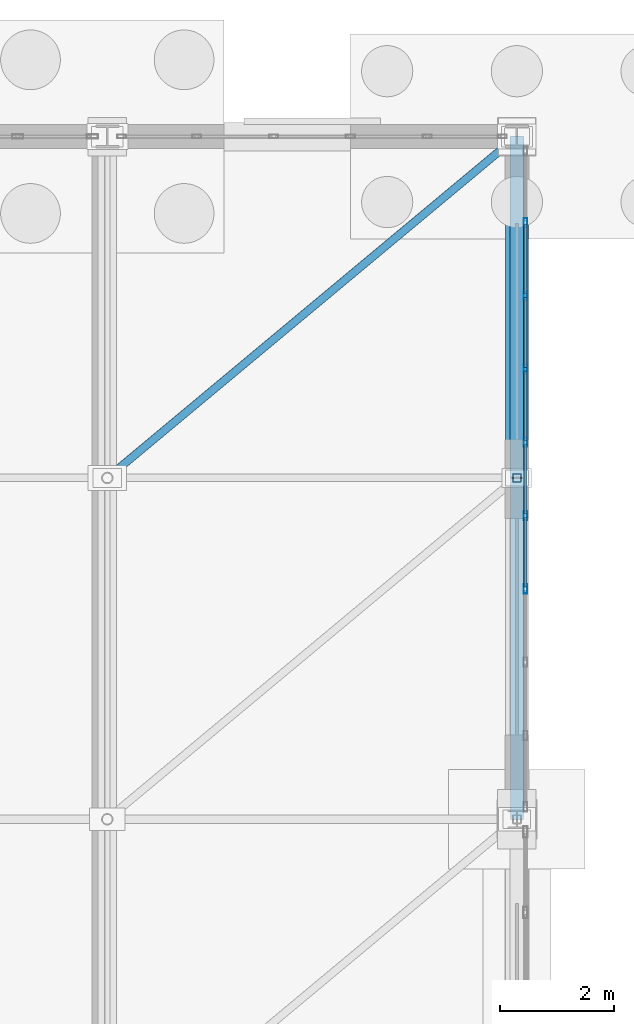
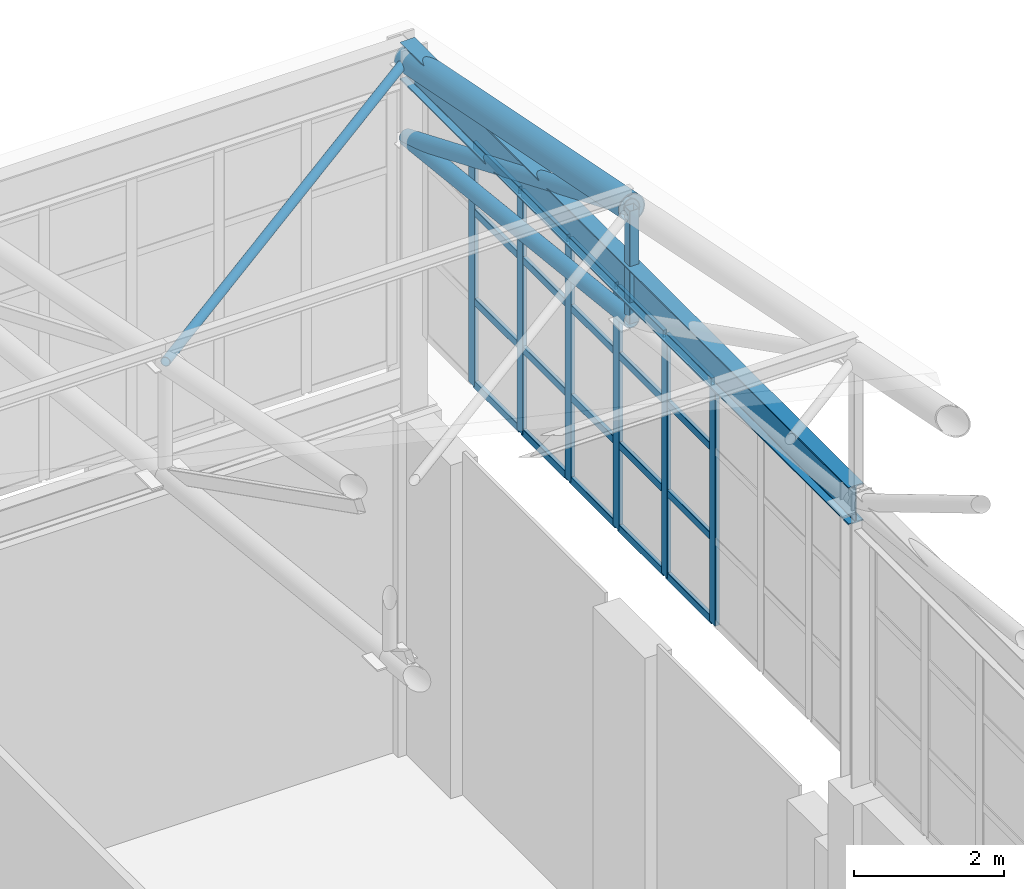
# One storey, part 228 of 293: 31 members, 1 beam, 1 element without a shape of its own.
"""IFC4 building model written with IfcOpenShell, lengths in metres."""

from ifc_helpers import new_model, si_unit, direction, frame, origin, origin_2d, place, context, subcontext, project, spatial, hollow_rectangle, hollow_circle, i_section, extrude, material, layer, layer_set, material_profile, profile_set, type_object, element, aggregate, save


model = new_model("IFC4")

# Units and contexts
model_context = context("Model", 3, precision=1e-05, world=origin(), true_north=direction((0.0, 1.0)))
body_context = subcontext(model_context, "Body", "Model", "MODEL_VIEW")
ifc_project = project(units=[si_unit("LENGTHUNIT", "METRE"), si_unit("AREAUNIT", "SQUARE_METRE"), si_unit("VOLUMEUNIT", "CUBIC_METRE"), si_unit("PLANEANGLEUNIT", "RADIAN"), si_unit("MASSUNIT", "GRAM", prefix="KILO")], contexts=[model_context])

# Site, building, storey
site_placement = place(None, origin())
site = spatial("IfcSite", under=ifc_project, at=site_placement, CompositionType="ELEMENT")
building_placement = place(site_placement, origin())
building = spatial("IfcBuilding", under=site, at=building_placement, Name="Kemerveld Promenade Tramway Depot", CompositionType="ELEMENT")
storey_placement = place(building_placement, origin())
storey = spatial("IfcBuildingStorey", under=building, at=storey_placement, Name="L00", CompositionType="ELEMENT", Elevation=0.0)

# Beam
ifc_material_1 = material(Name="Steel S355", Category="steel")
ifc_material_profile_1 = material_profile(ifc_material_1, i_section(OverallWidth=0.22900390625, OverallDepth=0.6123046875, WebThickness=0.011962890625, FlangeThickness=0.01953125, FilletRadius=0.0126953125, at=origin_2d()), Name="610x229x125 UB")
ifc_profile_set_1 = profile_set([ifc_material_profile_1], Name="Steel S355")
beam_type = type_object("IfcBeamType", Name="BM-G04", PredefinedType="BEAM", material=ifc_profile_set_1)
beam_placement = place(storey_placement, frame((187.199951171875, 132.0, 11.093994140625), z_axis=(0.0, 1.0, 0.0), x_axis=(-1.0, 0.0, 0.0)))
element("IfcBeam", 1, at=beam_placement, inside=storey, type_object=beam_type, Name="BM-GABLE-27-S", PredefinedType="BEAM", context=body_context, shape_type="SweptSolid", body=[
    extrude(i_section(OverallWidth=0.22900390625, OverallDepth=0.6123046875, WebThickness=0.011962890625, FlangeThickness=0.01953125, FilletRadius=0.0126953125, at=origin_2d()), origin(), (0.0, 0.0, 1.0), 12.0),
])

# Curtain wall, members
ifc_material_2 = material(Name="Bronze anodised aluminium and solar glass", Category="aluminium")
ifc_layer = layer(ifc_material_2, 0.159912109375)
ifc_layer_set = layer_set([ifc_layer], Name="CW-SYS-01")
curtain_wall_type = type_object("IfcCurtainWallType", Name="CW-SYS-01", PredefinedType="USERDEFINED", material=ifc_layer_set)
curtain_wall_placement = place(storey_placement, origin())
curtain_wall = element("IfcCurtainWall", 2, at=curtain_wall_placement, inside=storey, type_object=curtain_wall_type, Name="CW-V1-E-05", ObjectType="GLAZED_CURTAIN_WALL", PredefinedType="USERDEFINED")
ifc_material_3 = material(Name="Bronze anodised aluminium", Category="aluminium")
ifc_material_profile_2 = material_profile(ifc_material_3, hollow_rectangle(XDim=0.06494140625, YDim=0.159912109375, WallThickness=0.00390625, InnerFilletRadius=0.001953125, OuterFilletRadius=0.00390625, at=origin_2d()), Name="CW-MUL-160x65")
ifc_profile_set_2 = profile_set([ifc_material_profile_2], Name="Bronze anodised aluminium")
member_type_1 = type_object("IfcMemberType", Name="CW-MUL-A", PredefinedType="MULLION", material=ifc_profile_set_2)
member_1_placement = place(storey_placement, frame((187.35009765625, 142.48876953125, 6.64990234375), z_axis=(0.0, 0.0, 1.0), x_axis=(1.0, 0.0, 0.0)))
member_1 = element("IfcMember", 3, at=member_1_placement, type_object=member_type_1, Name="CW01 mullion 2", PredefinedType="MULLION", context=body_context, shape_type="SweptSolid", body=[
    extrude(hollow_rectangle(XDim=0.06494140625, YDim=0.159912109375, WallThickness=0.00390625, InnerFilletRadius=0.001953125, OuterFilletRadius=0.00390625, at=origin_2d()), origin(), (0.0, 0.0, 1.0), 3.9501953125),
])
member_2_placement = place(storey_placement, frame((187.35009765625, 141.200439453125, 6.64990234375), z_axis=(0.0, 0.0, 1.0), x_axis=(1.0, 0.0, 0.0)))
member_2 = element("IfcMember", 4, at=member_2_placement, type_object=member_type_1, Name="CW01 mullion 3", PredefinedType="MULLION", context=body_context, shape_type="SweptSolid", body=[
    extrude(hollow_rectangle(XDim=0.06494140625, YDim=0.159912109375, WallThickness=0.00390625, InnerFilletRadius=0.001953125, OuterFilletRadius=0.00390625, at=origin_2d()), origin(), (0.0, 0.0, 1.0), 3.9501953125),
])
member_3_placement = place(storey_placement, frame((187.35009765625, 139.912353515625, 6.64990234375), z_axis=(0.0, 0.0, 1.0), x_axis=(1.0, 0.0, 0.0)))
member_3 = element("IfcMember", 5, at=member_3_placement, type_object=member_type_1, Name="CW01 mullion 4", PredefinedType="MULLION", context=body_context, shape_type="SweptSolid", body=[
    extrude(hollow_rectangle(XDim=0.06494140625, YDim=0.159912109375, WallThickness=0.00390625, InnerFilletRadius=0.001953125, OuterFilletRadius=0.00390625, at=origin_2d()), origin(), (0.0, 0.0, 1.0), 3.9501953125),
])
member_4_placement = place(storey_placement, frame((187.35009765625, 138.624267578125, 6.64990234375), z_axis=(0.0, 0.0, 1.0), x_axis=(1.0, 0.0, 0.0)))
member_4 = element("IfcMember", 6, at=member_4_placement, type_object=member_type_1, Name="CW01 mullion 5", PredefinedType="MULLION", context=body_context, shape_type="SweptSolid", body=[
    extrude(hollow_rectangle(XDim=0.06494140625, YDim=0.159912109375, WallThickness=0.00390625, InnerFilletRadius=0.001953125, OuterFilletRadius=0.00390625, at=origin_2d()), origin(), (0.0, 0.0, 1.0), 3.9501953125),
])
member_5_placement = place(storey_placement, frame((187.35009765625, 137.336181640625, 6.64990234375), z_axis=(0.0, 0.0, 1.0), x_axis=(1.0, 0.0, 0.0)))
member_5 = element("IfcMember", 7, at=member_5_placement, type_object=member_type_1, Name="CW01 mullion 6", PredefinedType="MULLION", context=body_context, shape_type="SweptSolid", body=[
    extrude(hollow_rectangle(XDim=0.06494140625, YDim=0.159912109375, WallThickness=0.00390625, InnerFilletRadius=0.001953125, OuterFilletRadius=0.00390625, at=origin_2d()), origin(), (0.0, 0.0, 1.0), 3.9501953125),
])
member_6_placement = place(storey_placement, frame((187.35009765625, 136.0478515625, 6.64990234375), z_axis=(0.0, 0.0, 1.0), x_axis=(1.0, 0.0, 0.0)))
member_6 = element("IfcMember", 8, at=member_6_placement, type_object=member_type_1, Name="CW01 mullion 7", PredefinedType="MULLION", context=body_context, shape_type="SweptSolid", body=[
    extrude(hollow_rectangle(XDim=0.06494140625, YDim=0.159912109375, WallThickness=0.00390625, InnerFilletRadius=0.001953125, OuterFilletRadius=0.00390625, at=origin_2d()), origin(), (0.0, 0.0, 1.0), 3.9501953125),
])
ifc_material_profile_3 = material_profile(ifc_material_3, hollow_rectangle(XDim=0.06005859375, YDim=0.1201171875, WallThickness=0.00390625, InnerFilletRadius=0.001953125, OuterFilletRadius=0.00390625, at=origin_2d()), Name="CW-TRN-120x60")
ifc_profile_set_3 = profile_set([ifc_material_profile_3], Name="Bronze anodised aluminium")
member_type_2 = type_object("IfcMemberType", Name="CW-TRN-A", PredefinedType="USERDEFINED", material=ifc_profile_set_3)
member_7_placement = place(storey_placement, frame((187.35009765625, 142.4560546875, 6.679931640625), z_axis=(0.0, -1.0, 0.0), x_axis=(1.0, 0.0, 0.0)))
member_7 = element("IfcMember", 9, at=member_7_placement, type_object=member_type_2, Name="CW01 transom 2.1", ObjectType="TRANSOM", PredefinedType="USERDEFINED", context=body_context, shape_type="SweptSolid", body=[
    extrude(hollow_rectangle(XDim=0.06005859375, YDim=0.1201171875, WallThickness=0.00390625, InnerFilletRadius=0.001953125, OuterFilletRadius=0.00390625, at=origin_2d()), origin(), (0.0, 0.0, 1.0), 1.22314453125),
])
member_8_placement = place(storey_placement, frame((187.35009765625, 142.4560546875, 8.032958984375), z_axis=(0.0, -1.0, 0.0), x_axis=(1.0, 0.0, 0.0)))
member_8 = element("IfcMember", 10, at=member_8_placement, type_object=member_type_2, Name="CW01 transom 2.2", ObjectType="TRANSOM", PredefinedType="USERDEFINED", context=body_context, shape_type="SweptSolid", body=[
    extrude(hollow_rectangle(XDim=0.06005859375, YDim=0.1201171875, WallThickness=0.00390625, InnerFilletRadius=0.001953125, OuterFilletRadius=0.00390625, at=origin_2d()), origin(), (0.0, 0.0, 1.0), 1.22314453125),
])
member_9_placement = place(storey_placement, frame((187.35009765625, 142.4560546875, 9.493896484375), z_axis=(0.0, -1.0, 0.0), x_axis=(1.0, 0.0, 0.0)))
member_9 = element("IfcMember", 11, at=member_9_placement, type_object=member_type_2, Name="CW01 transom 2.3", ObjectType="TRANSOM", PredefinedType="USERDEFINED", context=body_context, shape_type="SweptSolid", body=[
    extrude(hollow_rectangle(XDim=0.06005859375, YDim=0.1201171875, WallThickness=0.00390625, InnerFilletRadius=0.001953125, OuterFilletRadius=0.00390625, at=origin_2d()), origin(), (0.0, 0.0, 1.0), 1.22314453125),
])
member_10_placement = place(storey_placement, frame((187.35009765625, 142.4560546875, 10.570068359375), z_axis=(0.0, -1.0, 0.0), x_axis=(1.0, 0.0, 0.0)))
member_10 = element("IfcMember", 12, at=member_10_placement, type_object=member_type_2, Name="CW01 transom 2.4", ObjectType="TRANSOM", PredefinedType="USERDEFINED", context=body_context, shape_type="SweptSolid", body=[
    extrude(hollow_rectangle(XDim=0.06005859375, YDim=0.1201171875, WallThickness=0.00390625, InnerFilletRadius=0.001953125, OuterFilletRadius=0.00390625, at=origin_2d()), origin(), (0.0, 0.0, 1.0), 1.22314453125),
])
member_11_placement = place(storey_placement, frame((187.35009765625, 141.16796875, 6.679931640625), z_axis=(0.0, -1.0, 0.0), x_axis=(1.0, 0.0, 0.0)))
member_11 = element("IfcMember", 13, at=member_11_placement, type_object=member_type_2, Name="CW01 transom 3.1", ObjectType="TRANSOM", PredefinedType="USERDEFINED", context=body_context, shape_type="SweptSolid", body=[
    extrude(hollow_rectangle(XDim=0.06005859375, YDim=0.1201171875, WallThickness=0.00390625, InnerFilletRadius=0.001953125, OuterFilletRadius=0.00390625, at=origin_2d()), origin(), (0.0, 0.0, 1.0), 1.22314453125),
])
member_12_placement = place(storey_placement, frame((187.35009765625, 141.16796875, 8.032958984375), z_axis=(0.0, -1.0, 0.0), x_axis=(1.0, 0.0, 0.0)))
member_12 = element("IfcMember", 14, at=member_12_placement, type_object=member_type_2, Name="CW01 transom 3.2", ObjectType="TRANSOM", PredefinedType="USERDEFINED", context=body_context, shape_type="SweptSolid", body=[
    extrude(hollow_rectangle(XDim=0.06005859375, YDim=0.1201171875, WallThickness=0.00390625, InnerFilletRadius=0.001953125, OuterFilletRadius=0.00390625, at=origin_2d()), origin(), (0.0, 0.0, 1.0), 1.22314453125),
])
member_13_placement = place(storey_placement, frame((187.35009765625, 141.16796875, 9.493896484375), z_axis=(0.0, -1.0, 0.0), x_axis=(1.0, 0.0, 0.0)))
member_13 = element("IfcMember", 15, at=member_13_placement, type_object=member_type_2, Name="CW01 transom 3.3", ObjectType="TRANSOM", PredefinedType="USERDEFINED", context=body_context, shape_type="SweptSolid", body=[
    extrude(hollow_rectangle(XDim=0.06005859375, YDim=0.1201171875, WallThickness=0.00390625, InnerFilletRadius=0.001953125, OuterFilletRadius=0.00390625, at=origin_2d()), origin(), (0.0, 0.0, 1.0), 1.22314453125),
])
member_14_placement = place(storey_placement, frame((187.35009765625, 141.16796875, 10.570068359375), z_axis=(0.0, -1.0, 0.0), x_axis=(1.0, 0.0, 0.0)))
member_14 = element("IfcMember", 16, at=member_14_placement, type_object=member_type_2, Name="CW01 transom 3.4", ObjectType="TRANSOM", PredefinedType="USERDEFINED", context=body_context, shape_type="SweptSolid", body=[
    extrude(hollow_rectangle(XDim=0.06005859375, YDim=0.1201171875, WallThickness=0.00390625, InnerFilletRadius=0.001953125, OuterFilletRadius=0.00390625, at=origin_2d()), origin(), (0.0, 0.0, 1.0), 1.22314453125),
])
member_15_placement = place(storey_placement, frame((187.35009765625, 139.8798828125, 6.679931640625), z_axis=(0.0, -1.0, 0.0), x_axis=(1.0, 0.0, 0.0)))
member_15 = element("IfcMember", 17, at=member_15_placement, type_object=member_type_2, Name="CW01 transom 4.1", ObjectType="TRANSOM", PredefinedType="USERDEFINED", context=body_context, shape_type="SweptSolid", body=[
    extrude(hollow_rectangle(XDim=0.06005859375, YDim=0.1201171875, WallThickness=0.00390625, InnerFilletRadius=0.001953125, OuterFilletRadius=0.00390625, at=origin_2d()), origin(), (0.0, 0.0, 1.0), 1.22314453125),
])
member_16_placement = place(storey_placement, frame((187.35009765625, 139.8798828125, 8.032958984375), z_axis=(0.0, -1.0, 0.0), x_axis=(1.0, 0.0, 0.0)))
member_16 = element("IfcMember", 18, at=member_16_placement, type_object=member_type_2, Name="CW01 transom 4.2", ObjectType="TRANSOM", PredefinedType="USERDEFINED", context=body_context, shape_type="SweptSolid", body=[
    extrude(hollow_rectangle(XDim=0.06005859375, YDim=0.1201171875, WallThickness=0.00390625, InnerFilletRadius=0.001953125, OuterFilletRadius=0.00390625, at=origin_2d()), origin(), (0.0, 0.0, 1.0), 1.22314453125),
])
member_17_placement = place(storey_placement, frame((187.35009765625, 139.8798828125, 9.493896484375), z_axis=(0.0, -1.0, 0.0), x_axis=(1.0, 0.0, 0.0)))
member_17 = element("IfcMember", 19, at=member_17_placement, type_object=member_type_2, Name="CW01 transom 4.3", ObjectType="TRANSOM", PredefinedType="USERDEFINED", context=body_context, shape_type="SweptSolid", body=[
    extrude(hollow_rectangle(XDim=0.06005859375, YDim=0.1201171875, WallThickness=0.00390625, InnerFilletRadius=0.001953125, OuterFilletRadius=0.00390625, at=origin_2d()), origin(), (0.0, 0.0, 1.0), 1.22314453125),
])
member_18_placement = place(storey_placement, frame((187.35009765625, 139.8798828125, 10.570068359375), z_axis=(0.0, -1.0, 0.0), x_axis=(1.0, 0.0, 0.0)))
member_18 = element("IfcMember", 20, at=member_18_placement, type_object=member_type_2, Name="CW01 transom 4.4", ObjectType="TRANSOM", PredefinedType="USERDEFINED", context=body_context, shape_type="SweptSolid", body=[
    extrude(hollow_rectangle(XDim=0.06005859375, YDim=0.1201171875, WallThickness=0.00390625, InnerFilletRadius=0.001953125, OuterFilletRadius=0.00390625, at=origin_2d()), origin(), (0.0, 0.0, 1.0), 1.22314453125),
])
member_19_placement = place(storey_placement, frame((187.35009765625, 138.591796875, 6.679931640625), z_axis=(0.0, -1.0, 0.0), x_axis=(1.0, 0.0, 0.0)))
member_19 = element("IfcMember", 21, at=member_19_placement, type_object=member_type_2, Name="CW01 transom 5.1", ObjectType="TRANSOM", PredefinedType="USERDEFINED", context=body_context, shape_type="SweptSolid", body=[
    extrude(hollow_rectangle(XDim=0.06005859375, YDim=0.1201171875, WallThickness=0.00390625, InnerFilletRadius=0.001953125, OuterFilletRadius=0.00390625, at=origin_2d()), origin(), (0.0, 0.0, 1.0), 1.22314453125),
])
member_20_placement = place(storey_placement, frame((187.35009765625, 138.591796875, 8.032958984375), z_axis=(0.0, -1.0, 0.0), x_axis=(1.0, 0.0, 0.0)))
member_20 = element("IfcMember", 22, at=member_20_placement, type_object=member_type_2, Name="CW01 transom 5.2", ObjectType="TRANSOM", PredefinedType="USERDEFINED", context=body_context, shape_type="SweptSolid", body=[
    extrude(hollow_rectangle(XDim=0.06005859375, YDim=0.1201171875, WallThickness=0.00390625, InnerFilletRadius=0.001953125, OuterFilletRadius=0.00390625, at=origin_2d()), origin(), (0.0, 0.0, 1.0), 1.22314453125),
])
member_21_placement = place(storey_placement, frame((187.35009765625, 138.591796875, 9.493896484375), z_axis=(0.0, -1.0, 0.0), x_axis=(1.0, 0.0, 0.0)))
member_21 = element("IfcMember", 23, at=member_21_placement, type_object=member_type_2, Name="CW01 transom 5.3", ObjectType="TRANSOM", PredefinedType="USERDEFINED", context=body_context, shape_type="SweptSolid", body=[
    extrude(hollow_rectangle(XDim=0.06005859375, YDim=0.1201171875, WallThickness=0.00390625, InnerFilletRadius=0.001953125, OuterFilletRadius=0.00390625, at=origin_2d()), origin(), (0.0, 0.0, 1.0), 1.22314453125),
])
member_22_placement = place(storey_placement, frame((187.35009765625, 138.591796875, 10.570068359375), z_axis=(0.0, -1.0, 0.0), x_axis=(1.0, 0.0, 0.0)))
member_22 = element("IfcMember", 24, at=member_22_placement, type_object=member_type_2, Name="CW01 transom 5.4", ObjectType="TRANSOM", PredefinedType="USERDEFINED", context=body_context, shape_type="SweptSolid", body=[
    extrude(hollow_rectangle(XDim=0.06005859375, YDim=0.1201171875, WallThickness=0.00390625, InnerFilletRadius=0.001953125, OuterFilletRadius=0.00390625, at=origin_2d()), origin(), (0.0, 0.0, 1.0), 1.22314453125),
])
member_23_placement = place(storey_placement, frame((187.35009765625, 137.303466796875, 6.679931640625), z_axis=(0.0, -1.0, 0.0), x_axis=(1.0, 0.0, 0.0)))
member_23 = element("IfcMember", 25, at=member_23_placement, type_object=member_type_2, Name="CW01 transom 6.1", ObjectType="TRANSOM", PredefinedType="USERDEFINED", context=body_context, shape_type="SweptSolid", body=[
    extrude(hollow_rectangle(XDim=0.06005859375, YDim=0.1201171875, WallThickness=0.00390625, InnerFilletRadius=0.001953125, OuterFilletRadius=0.00390625, at=origin_2d()), origin(), (0.0, 0.0, 1.0), 1.22314453125),
])
member_24_placement = place(storey_placement, frame((187.35009765625, 137.303466796875, 8.032958984375), z_axis=(0.0, -1.0, 0.0), x_axis=(1.0, 0.0, 0.0)))
member_24 = element("IfcMember", 26, at=member_24_placement, type_object=member_type_2, Name="CW01 transom 6.2", ObjectType="TRANSOM", PredefinedType="USERDEFINED", context=body_context, shape_type="SweptSolid", body=[
    extrude(hollow_rectangle(XDim=0.06005859375, YDim=0.1201171875, WallThickness=0.00390625, InnerFilletRadius=0.001953125, OuterFilletRadius=0.00390625, at=origin_2d()), origin(), (0.0, 0.0, 1.0), 1.22314453125),
])
member_25_placement = place(storey_placement, frame((187.35009765625, 137.303466796875, 9.493896484375), z_axis=(0.0, -1.0, 0.0), x_axis=(1.0, 0.0, 0.0)))
member_25 = element("IfcMember", 27, at=member_25_placement, type_object=member_type_2, Name="CW01 transom 6.3", ObjectType="TRANSOM", PredefinedType="USERDEFINED", context=body_context, shape_type="SweptSolid", body=[
    extrude(hollow_rectangle(XDim=0.06005859375, YDim=0.1201171875, WallThickness=0.00390625, InnerFilletRadius=0.001953125, OuterFilletRadius=0.00390625, at=origin_2d()), origin(), (0.0, 0.0, 1.0), 1.22314453125),
])
member_26_placement = place(storey_placement, frame((187.35009765625, 137.303466796875, 10.570068359375), z_axis=(0.0, -1.0, 0.0), x_axis=(1.0, 0.0, 0.0)))
member_26 = element("IfcMember", 28, at=member_26_placement, type_object=member_type_2, Name="CW01 transom 6.4", ObjectType="TRANSOM", PredefinedType="USERDEFINED", context=body_context, shape_type="SweptSolid", body=[
    extrude(hollow_rectangle(XDim=0.06005859375, YDim=0.1201171875, WallThickness=0.00390625, InnerFilletRadius=0.001953125, OuterFilletRadius=0.00390625, at=origin_2d()), origin(), (0.0, 0.0, 1.0), 1.22314453125),
])
aggregate(curtain_wall, [member_1, member_2, member_3, member_4, member_5, member_6, member_7, member_8, member_9, member_10, member_11, member_12, member_13, member_14, member_15, member_16, member_17, member_18, member_19, member_20, member_21, member_22, member_23, member_24, member_25, member_26])

# Members
ifc_material_profile_4 = material_profile(ifc_material_1, hollow_circle(Radius=0.122314453125, WallThickness=0.010009765625, at=origin_2d()), Name="244.5x10.0 CHS")
ifc_profile_set_4 = profile_set([ifc_material_profile_4], Name="Steel S355")
member_type_3 = type_object("IfcMemberType", Name="MB-TB1", PredefinedType="BRACE", material=ifc_profile_set_4)
member_27_placement = place(storey_placement, frame((187.199951171875, 144.0, 9.800048828125), z_axis=(0.0, -0.923076923077, 0.384615384615), x_axis=(1.0, 0.0, 0.0)))
element("IfcMember", 29, at=member_27_placement, inside=storey, type_object=member_type_3, Name="TR-27-DG-10", PredefinedType="BRACE", context=body_context, shape_type="SweptSolid", body=[
    extrude(hollow_circle(Radius=0.122314453125, WallThickness=0.010009765625, at=origin_2d()), origin(), (0.0, 0.0, 1.0), 6.5),
])
ifc_material_profile_5 = material_profile(ifc_material_1, hollow_circle(Radius=0.06982421875, WallThickness=0.00634765625, at=origin_2d()), Name="139.7x6.3 CHS")
ifc_profile_set_5 = profile_set([ifc_material_profile_5], Name="Steel S355")
member_type_4 = type_object("IfcMemberType", Name="MB-TB3", PredefinedType="BRACE", material=ifc_profile_set_5)
member_28_placement = place(storey_placement, frame((180.0, 138.0, 12.300048828125), z_axis=(0.761999094998, 0.635003552225, -0.126995542773), x_axis=(-0.640186961885, 0.768219144407, 0.0)))
element("IfcMember", 30, at=member_28_placement, inside=storey, type_object=member_type_4, Name="RBR-V1-09-26", PredefinedType="BRACE", context=body_context, shape_type="SweptSolid", body=[
    extrude(hollow_circle(Radius=0.06982421875, WallThickness=0.00634765625, at=origin_2d()), origin(), (0.0, 0.0, 1.0), 9.44873046875),
])
ifc_material_profile_6 = material_profile(ifc_material_1, hollow_circle(Radius=0.203125, WallThickness=0.01611328125, at=origin_2d()), Name="406.4x16.0 CHS")
ifc_profile_set_6 = profile_set([ifc_material_profile_6], Name="Steel S355")
member_type_5 = type_object("IfcMemberType", Name="MB-TC1", PredefinedType="CHORD", material=ifc_profile_set_6)
member_29_placement = place(storey_placement, frame((187.199951171875, 138.0, 12.300048828125), z_axis=(0.0, 0.980582210276, -0.196108462057), x_axis=(-1.0, 0.0, 0.0)))
element("IfcMember", 31, at=member_29_placement, inside=storey, type_object=member_type_5, Name="TR-27-TC-10", PredefinedType="CHORD", context=body_context, shape_type="SweptSolid", body=[
    extrude(hollow_circle(Radius=0.203125, WallThickness=0.01611328125, at=origin_2d()), origin(), (0.0, 0.0, 1.0), 6.118896484375),
])
ifc_material_profile_7 = material_profile(ifc_material_1, hollow_circle(Radius=0.122314453125, WallThickness=0.010009765625, at=origin_2d()), Name="244.5x10.0 CHS")
ifc_profile_set_7 = profile_set([ifc_material_profile_7], Name="Steel S355")
member_type_6 = type_object("IfcMemberType", Name="MB-TC3", PredefinedType="CHORD", material=ifc_profile_set_7)
member_30_placement = place(storey_placement, frame((187.199951171875, 138.0, 10.4599609375), z_axis=(0.0, 0.994005938353, -0.109326092585), x_axis=(-1.0, 0.0, 0.0)))
element("IfcMember", 32, at=member_30_placement, inside=storey, type_object=member_type_6, Name="TR-27-BC-10", PredefinedType="CHORD", context=body_context, shape_type="SweptSolid", body=[
    extrude(hollow_circle(Radius=0.122314453125, WallThickness=0.010009765625, at=origin_2d()), origin(), (0.0, 0.0, 1.0), 6.0361328125),
])
ifc_material_profile_8 = material_profile(ifc_material_1, hollow_rectangle(XDim=0.14990234375, YDim=0.14990234375, WallThickness=0.008056640625, InnerFilletRadius=0.00390625, OuterFilletRadius=0.011962890625, at=origin_2d()), Name="150x150x8.0 SHS")
ifc_profile_set_8 = profile_set([ifc_material_profile_8], Name="Steel S355")
member_type_7 = type_object("IfcMemberType", Name="MB-TP2", PredefinedType="POST", material=ifc_profile_set_8)
member_31_placement = place(storey_placement, frame((187.199951171875, 138.0, 10.4599609375), z_axis=(0.0, 0.0, 1.0), x_axis=(1.0, 0.0, 0.0)))
element("IfcMember", 33, at=member_31_placement, inside=storey, type_object=member_type_7, Name="TR-27-VT-09", PredefinedType="POST", context=body_context, shape_type="SweptSolid", body=[
    extrude(hollow_rectangle(XDim=0.14990234375, YDim=0.14990234375, WallThickness=0.008056640625, InnerFilletRadius=0.00390625, OuterFilletRadius=0.011962890625, at=origin_2d()), origin(), (0.0, 0.0, 1.0), 1.840087890625),
])

save(model, "model.ifc")
